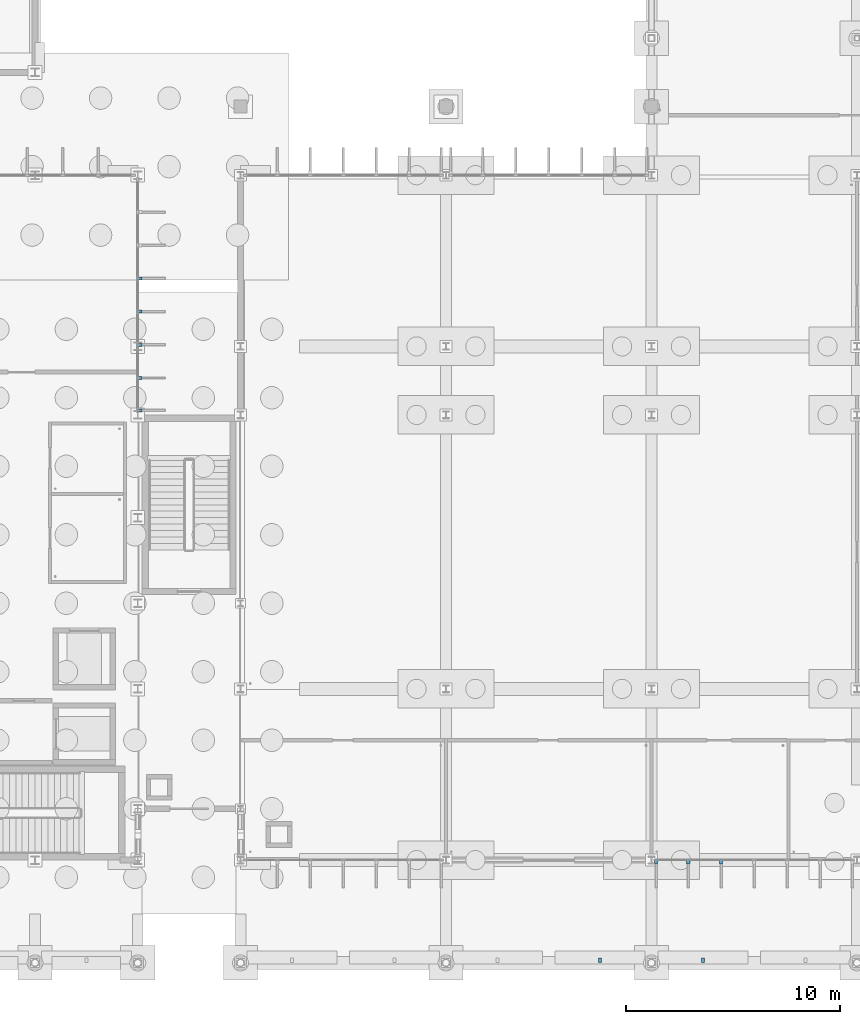
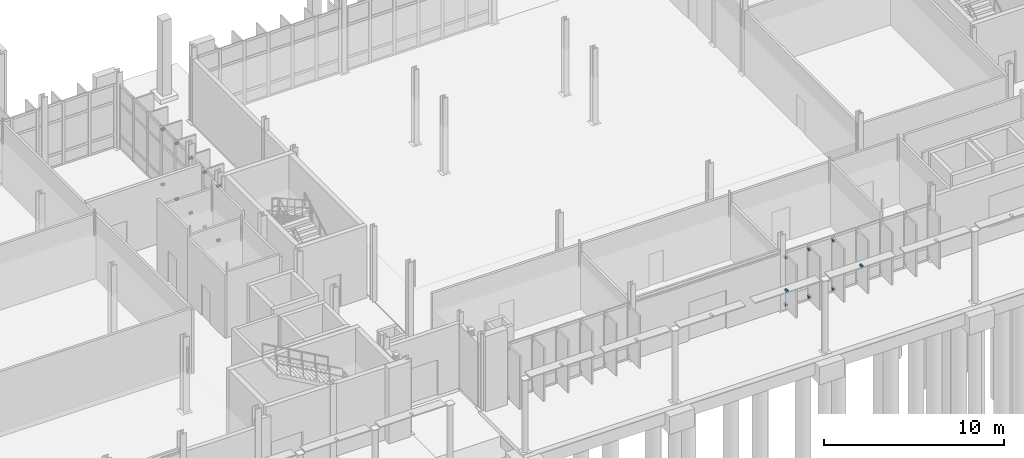
# One storey, part 96 of 111: 18 discrete accessories.
"""IFC4 building model written with IfcOpenShell, lengths in metres."""

from ifc_helpers import new_model, si_unit, direction, frame, origin, origin_2d, place, context, subcontext, project, spatial, rectangle, extrude, material, type_object, element, save


model = new_model("IFC4")

# Units and contexts
model_context = context("Model", 3, precision=1e-05, world=origin(), true_north=direction((0.0, 1.0)))
body_context = subcontext(model_context, "Body", "Model", "MODEL_VIEW")
ifc_project = project(units=[si_unit("LENGTHUNIT", "METRE"), si_unit("AREAUNIT", "SQUARE_METRE"), si_unit("VOLUMEUNIT", "CUBIC_METRE"), si_unit("PLANEANGLEUNIT", "RADIAN"), si_unit("MASSUNIT", "GRAM", prefix="KILO")], contexts=[model_context])

# Site, building, storey
site_placement = place(None, origin())
site = spatial("IfcSite", under=ifc_project, at=site_placement, CompositionType="ELEMENT")
building_placement = place(site_placement, origin())
building = spatial("IfcBuilding", under=site, at=building_placement, Name="Dunescarp Central Library", CompositionType="ELEMENT")
storey_placement = place(building_placement, origin())
storey = spatial("IfcBuildingStorey", under=building, at=storey_placement, Name="L00", CompositionType="ELEMENT", Elevation=0.0)

# Discrete accessories
ifc_material = material(Name="Stainless steel Grade 316L", Category="steel")
discrete_accessory_type = type_object("IfcDiscreteAccessoryType", Name="ARC-ACC-BRK", PredefinedType="BRACKET", material=ifc_material)
for number, where, z_axis, x_axis, name in (
    (1, (33.679931640625, 31.97509765625, 0.23291015625), (0.0, 0.0, 1.0), (1.0, 0.0, 0.0), "Fin bracket BRK-FIN-L00-0029-B"),
    (2, (33.679931640625, 31.97509765625, 3.97509765625), (0.0, 0.0, 1.0), (1.0, 0.0, 0.0), "Fin bracket BRK-FIN-L00-0029-T"),
    (3, (33.679931640625, 30.425048828125, 0.18994140625), (0.0, 0.0, 1.0), (1.0, 0.0, 0.0), "Fin bracket BRK-FIN-L00-0030-B"),
    (4, (33.679931640625, 30.425048828125, 3.9638671875), (0.0, 0.0, 1.0), (1.0, 0.0, 0.0), "Fin bracket BRK-FIN-L00-0030-T"),
    (5, (33.679931640625, 28.875, 0.18994140625), (0.0, 0.0, 1.0), (1.0, 0.0, 0.0), "Fin bracket BRK-FIN-L00-0031-B"),
    (6, (33.679931640625, 28.875, 3.9140625), (0.0, 0.0, 1.0), (1.0, 0.0, 0.0), "Fin bracket BRK-FIN-L00-0031-T"),
    (7, (33.679931640625, 27.324951171875, 0.18994140625), (0.0, 0.0, 1.0), (1.0, 0.0, 0.0), "Fin bracket BRK-FIN-L00-0032-B"),
    (8, (33.679931640625, 27.324951171875, 3.880859375), (0.0, 0.0, 1.0), (1.0, 0.0, 0.0), "Fin bracket BRK-FIN-L00-0032-T"),
    (9, (33.679931640625, 25.81494140625, 0.18994140625), (0.0, 0.0, 1.0), (1.0, 0.0, 0.0), "Fin bracket BRK-FIN-L00-0033-B"),
    (10, (33.679931640625, 25.81494140625, 3.876953125), (0.0, 0.0, 1.0), (1.0, 0.0, 0.0), "Fin bracket BRK-FIN-L00-0033-T"),
    (11, (60.85791015625, 4.719970703125, 0.18994140625), (0.0, 0.0, 1.0), (0.0, -1.0, 0.0), "Fin bracket BRK-FIN-L00-0322-B"),
    (12, (60.85791015625, 4.719970703125, 3.4638671875), (0.0, 0.0, 1.0), (0.0, -1.0, 0.0), "Fin bracket BRK-FIN-L00-0322-T"),
    (13, (59.31689453125, 4.719970703125, 0.18994140625), (0.0, 0.0, 1.0), (0.0, -1.0, 0.0), "Fin bracket BRK-FIN-L00-0323-B"),
    (14, (59.31689453125, 4.719970703125, 3.4140625), (0.0, 0.0, 1.0), (0.0, -1.0, 0.0), "Fin bracket BRK-FIN-L00-0323-T"),
    (15, (57.81494140625, 4.719970703125, 0.18994140625), (0.0, 0.0, 1.0), (0.0, -1.0, 0.0), "Fin bracket BRK-FIN-L00-0324-B"),
    (16, (57.81494140625, 4.719970703125, 3.380859375), (0.0, 0.0, 1.0), (0.0, -1.0, 0.0), "Fin bracket BRK-FIN-L00-0324-T"),
):
    element("IfcDiscreteAccessory", number, at=place(storey_placement, frame(where, z_axis=z_axis, x_axis=x_axis)), inside=storey, type_object=discrete_accessory_type, Name=name, PredefinedType="BRACKET", context=body_context, shape_type="SweptSolid", body=[
        extrude(rectangle(XDim=0.219970703125, YDim=0.139892578125, at=origin_2d()), origin(), (0.0, 0.0, 1.0), 0.139892578125),
    ])
for number, where, z_axis, x_axis, name in (
    (17, (55.199951171875, 0.1201171875, 4.81982421875), (0.0, 0.0, 1.0), (1.0, 0.0, 0.0), "Louvre bracket 011"),
    (18, (60.0, 0.1201171875, 4.81982421875), (0.0, 0.0, 1.0), (1.0, 0.0, 0.0), "Louvre bracket 012"),
):
    element("IfcDiscreteAccessory", number, at=place(storey_placement, frame(where, z_axis=z_axis, x_axis=x_axis)), inside=storey, type_object=discrete_accessory_type, Name=name, PredefinedType="BRACKET", context=body_context, shape_type="SweptSolid", body=[
        extrude(rectangle(XDim=0.139892578125, YDim=0.219970703125, at=origin_2d()), origin(), (0.0, 0.0, 1.0), 0.139892578125),
    ])

save(model, "model.ifc")
